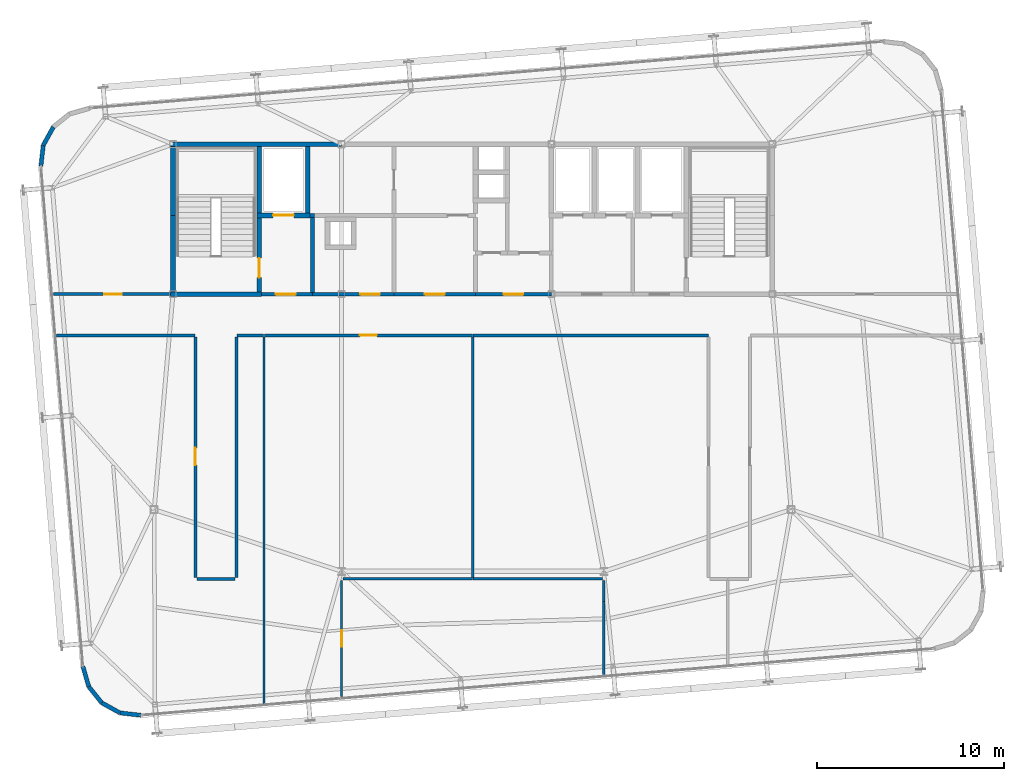
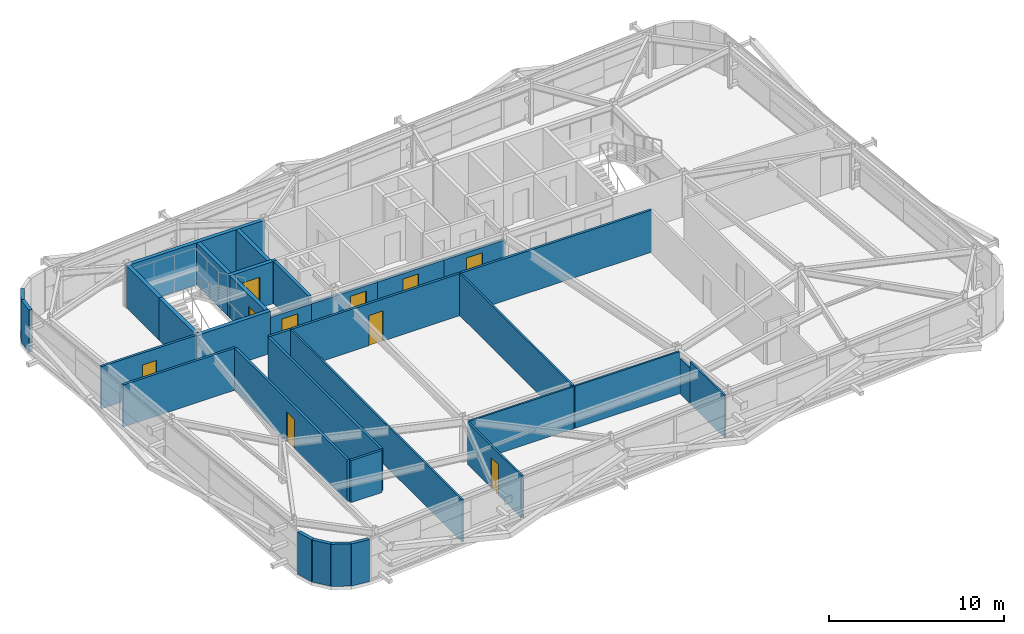
# One storey, part 33 of 37: 35 walls, 10 doors, 10 openings.
"""IFC4 building model written with IfcOpenShell, lengths in metres."""

from ifc_helpers import new_model, si_unit, direction, frame, frame_2d, origin, place, context, subcontext, project, spatial, rectangle, extrude, source, transform, mapped, material, layer, layer_set, type_object, element, fill, save


model = new_model("IFC4")

# Units and contexts
model_context = context("Model", 3, precision=1e-05, world=origin(), true_north=direction((0.0, 1.0)))
body_context = subcontext(model_context, "Body", "Model", "MODEL_VIEW")
ifc_project = project(units=[si_unit("LENGTHUNIT", "METRE"), si_unit("AREAUNIT", "SQUARE_METRE"), si_unit("VOLUMEUNIT", "CUBIC_METRE"), si_unit("PLANEANGLEUNIT", "RADIAN"), si_unit("MASSUNIT", "GRAM", prefix="KILO")], contexts=[model_context])

# Site, building, storey
site_placement = place(None, origin())
site = spatial("IfcSite", under=ifc_project, at=site_placement, CompositionType="ELEMENT")
building_placement = place(site_placement, origin())
building = spatial("IfcBuilding", under=site, at=building_placement, Name="Taldren Reach Tower", CompositionType="ELEMENT")
storey_placement = place(building_placement, frame((0.0, 0.0, 200.89990234375)))
storey = spatial("IfcBuildingStorey", under=building, at=storey_placement, Name="L61", CompositionType="ELEMENT", Elevation=200.89990234375)

# Walls
ifc_material_1 = material(Name="Pale Champagne Anodised Aluminium Cladding", Category="aluminium")
ifc_layer_1 = layer(ifc_material_1, 0.04, Name="Pale Champagne Anodised Aluminium Cladding", Category="aluminium")
ifc_material_2 = material(Name="Mineral Wool Acoustic Insulation", Category="insulation")
ifc_layer_2 = layer(ifc_material_2, 0.06, Name="Mineral Wool Acoustic Insulation", Category="insulation")
ifc_material_3 = material(Name="Steel Gr 350 (C350L0)", Category="steel")
ifc_layer_3 = layer(ifc_material_3, 0.12, Name="Steel Gr 350 (C350L0)", Category="steel")
ifc_layer_set_1 = layer_set([ifc_layer_1, ifc_layer_2, ifc_layer_3], Name="Pale Champagne Aluminium Cladding and Steel Gr 350 Stud Framing")
wall_type_1 = type_object("IfcWallType", Name="EW-CRN-220", PredefinedType="SOLIDWALL", material=ifc_layer_set_1)
shared_shape_1 = source(origin(), body_context, "Body", "SweptSolid", [
    extrude(rectangle(XDim=1.115966796875, YDim=0.219970703125, at=frame_2d((0.55810546875, 0.0))), origin(), (0.0, 0.0, 1.0), 2.93017578125),
])
for number, where, z_axis, x_axis, name in (
    (1, (12.618896484375, 32.9208984375, 0.0), (0.0, 0.0, 1.0), (-0.484100585842, -0.875012355791, 0.0), "Rounded-corner pale-metal facade wall L61-NW3"),
    (2, (12.07861328125, 31.9443359375, 0.0), (0.0, 0.0, 1.0), (-0.112232247342, -0.993682002784, 0.0), "Rounded-corner pale-metal facade wall L61-NW4"),
    (3, (14.19580078125, 4.129638671875, 0.0), (0.0, 0.0, 1.0), (0.276512002475, -0.961010464297, 0.0), "Rounded-corner pale-metal facade wall L61-SW1"),
    (4, (14.50439453125, 3.05712890625, 0.0), (0.0, 0.0, 1.0), (0.623092886403, -0.782147847222, 0.0), "Rounded-corner pale-metal facade wall L61-SW2"),
    (5, (15.19970703125, 2.184326171875, 0.0), (0.0, 0.0, 1.0), (0.875105012065, -0.483933071672, 0.0), "Rounded-corner pale-metal facade wall L61-SW3"),
    (6, (16.17626953125, 1.644287109375, 0.0), (0.0, 0.0, 1.0), (0.993657581277, -0.112448259968, 0.0), "Rounded-corner pale-metal facade wall L61-SW4"),
):
    element("IfcWall", number, at=place(storey_placement, frame(where, z_axis=z_axis, x_axis=x_axis)), inside=storey, type_object=wall_type_1, Name=name, PredefinedType="SOLIDWALL", context=body_context, shape_type="MappedRepresentation", body=[
        mapped(shared_shape_1, transform((0.0, 0.0, 0.0), scale=1.0)),
    ])

# Wall, opening, door
ifc_material_4 = material(Name="Concrete S50 (50 MPa)", Category="concrete")
ifc_layer_4 = layer(ifc_material_4, 0.199951171875)
ifc_layer_set_2 = layer_set([ifc_layer_4], Name="Concrete S50 (50 MPa)")
wall_type_2 = type_object("IfcWallType", Name="IW-CORE-200", PredefinedType="SOLIDWALL", material=ifc_layer_set_2)
shared_shape_2 = source(origin(), body_context, "Body", "SweptSolid", [
    extrude(rectangle(XDim=4.35009765625, YDim=0.199951171875, at=frame_2d((2.175048828125, 0.0))), origin(), (0.0, 0.0, 1.0), 2.47021484375),
])
wall_1_placement = place(storey_placement, frame((30.800048828125, 24.0, 0.0), z_axis=(0.0, 0.0, 1.0), x_axis=(-1.0, 0.0, 0.0)))
wall_1 = element("IfcWall", 7, at=wall_1_placement, inside=storey, type_object=wall_type_2, Name="Rear Core Shear Wall W-INT-L61-034", PredefinedType="SOLIDWALL", context=body_context, shape_type="MappedRepresentation", body=[
    mapped(shared_shape_2, transform((0.0, 0.0, 0.0), scale=1.0)),
])
shared_shape_3 = source(origin(), body_context, "Body", "SweptSolid", [
    extrude(rectangle(XDim=1.050048828125, YDim=2.10009765625, at=frame_2d((0.52490234375, 1.050048828125))), frame((0.0, 0.10986328125, 0.0), z_axis=(0.0, -1.0, 0.0), x_axis=(1.0, 0.0, 0.0)), (0.0, 0.0, 1.0), 0.219970703125),
])
opening_1_placement = place(wall_1_placement, frame((0.75, 0.0, 0.0)))
opening_1 = element("IfcOpeningElement", 8, at=opening_1_placement, cuts=wall_1, Name="Opening DF-105", PredefinedType="OPENING", context=body_context, shape_type="MappedRepresentation", body=[
    mapped(shared_shape_3, transform((0.0, 0.0, 0.0), scale=1.0)),
])
ifc_material_5 = material(Name="Fire-Rated Care and Stair Exit Door")
door_type_1 = type_object("IfcDoorType", Name="ID-FIRE-105", OperationType="NOTDEFINED", PredefinedType="DOOR", material=ifc_material_5)
shared_shape_4 = source(origin(), body_context, "Body", "SweptSolid", [
    extrude(rectangle(XDim=1.050048828125, YDim=2.10009765625, at=frame_2d((0.52490234375, 1.050048828125))), frame((0.0, 0.02490234375, 0.0), z_axis=(0.0, -1.0, 0.0), x_axis=(1.0, 0.0, 0.0)), (0.0, 0.0, 1.0), 0.050048828125),
])
door_1_placement = place(opening_1_placement, frame((1.050048828125, 0.0, 0.0), z_axis=(0.0, 0.0, 1.0), x_axis=(-1.0, 0.0, 0.0)))
door_1 = element("IfcDoor", 9, at=door_1_placement, inside=storey, type_object=door_type_1, Name="Interior Door DR-L61-006", OperationType="SINGLE_SWING_RIGHT", OverallHeight=2.10009765625, OverallWidth=1.050048828125, PredefinedType="DOOR", context=body_context, shape_type="MappedRepresentation", body=[
    mapped(shared_shape_4, transform((0.0, 0.0, 0.0), scale=1.0)),
])
fill(opening_1, door_1)

# Walls
ifc_material_6 = material(Name="Fire-Rated Acoustic Plasterboard Stud Wall", Category="gypsum")
ifc_layer_5 = layer(ifc_material_6, 0.159912109375)
ifc_layer_set_3 = layer_set([ifc_layer_5], Name="Fire-Rated Acoustic Plasterboard Stud Wall")
wall_type_3 = type_object("IfcWallType", Name="IW-FIRE-160", PredefinedType="PARTITIONING", material=ifc_layer_set_3)
shared_shape_5 = source(origin(), body_context, "Body", "SweptSolid", [
    extrude(rectangle(XDim=2.0400390625, YDim=0.159912109375, at=frame_2d((1.02001953125, 0.0))), origin(), (0.0, 0.0, 1.0), 2.93017578125),
])
wall_2_placement = place(storey_placement, frame((22.320068359375, 8.800048828125, 0.0), z_axis=(0.0, 0.0, 1.0), x_axis=(-1.0, 0.0, 0.0)))
element("IfcWall", 10, at=wall_2_placement, inside=storey, type_object=wall_type_3, Name="Interior Partition Wall W-INT-L61-049", PredefinedType="PARTITIONING", context=body_context, shape_type="MappedRepresentation", body=[
    mapped(shared_shape_5, transform((0.0, 0.0, 0.0), scale=1.0)),
])
shared_shape_6 = source(origin(), body_context, "Body", "SweptSolid", [
    extrude(rectangle(XDim=4.0, YDim=0.199951171875, at=frame_2d((2.0, 0.0))), origin(), (0.0, 0.0, 1.0), 2.93017578125),
])
wall_3_placement = place(storey_placement, frame((26.449951171875, 24.10009765625, 0.0), z_axis=(0.0, 0.0, 1.0), x_axis=(0.0, 1.0, 0.0)))
element("IfcWall", 11, at=wall_3_placement, inside=storey, type_object=wall_type_2, Name="Rear Core Shear Wall W-INT-L61-006", PredefinedType="SOLIDWALL", context=body_context, shape_type="MappedRepresentation", body=[
    mapped(shared_shape_6, transform((0.0, 0.0, 0.0), scale=1.0)),
])
ifc_material_7 = material(Name="Concrete S65 (65 MPa)", Category="concrete")
ifc_layer_6 = layer(ifc_material_7, 0.25)
ifc_layer_set_4 = layer_set([ifc_layer_6], Name="Concrete S65 (65 MPa)")
wall_type_4 = type_object("IfcWallType", Name="IW-CORE-250", PredefinedType="SHEAR", material=ifc_layer_set_4)
shared_shape_7 = source(origin(), body_context, "Body", "SweptSolid", [
    extrude(rectangle(XDim=9.125, YDim=0.25, at=frame_2d((4.5625, 0.0))), origin(), (0.0, 0.0, 1.0), 2.93017578125),
])
wall_4_placement = place(storey_placement, frame((18.875, 32.0, 0.0), z_axis=(0.0, 0.0, 1.0), x_axis=(1.0, 0.0, 0.0)))
element("IfcWall", 12, at=wall_4_placement, inside=storey, type_object=wall_type_4, Name="Rear Core Shear Wall W-CORE-L61-NORTH1", PredefinedType="SHEAR", context=body_context, shape_type="MappedRepresentation", body=[
    mapped(shared_shape_7, transform((0.0, 0.0, 0.0), scale=1.0)),
])
shared_shape_8 = source(origin(), body_context, "Body", "SweptSolid", [
    extrude(rectangle(XDim=4.074951171875, YDim=0.25, at=frame_2d((2.03759765625, 0.0))), origin(), (0.0, 0.0, 1.0), 2.93017578125),
])
wall_5_placement = place(storey_placement, frame((19.0, 24.125, 0.0), z_axis=(0.0, 0.0, 1.0), x_axis=(0.0, 1.0, 0.0)))
element("IfcWall", 13, at=wall_5_placement, inside=storey, type_object=wall_type_4, Name="Rear Core Shear Wall W-CORE-L61-WEST1", PredefinedType="SHEAR", context=body_context, shape_type="MappedRepresentation", body=[
    mapped(shared_shape_8, transform((0.0, 0.0, 0.0), scale=1.0)),
])
shared_shape_9 = source(origin(), body_context, "Body", "SweptSolid", [
    extrude(rectangle(XDim=3.675048828125, YDim=0.25, at=frame_2d((1.83740234375, 0.0))), origin(), (0.0, 0.0, 1.0), 2.93017578125),
])
wall_6_placement = place(storey_placement, frame((19.0, 28.199951171875, 0.0), z_axis=(0.0, 0.0, 1.0), x_axis=(0.0, 1.0, 0.0)))
element("IfcWall", 14, at=wall_6_placement, inside=storey, type_object=wall_type_4, Name="Rear Core Shear Wall W-CORE-L61-WEST2", PredefinedType="SHEAR", context=body_context, shape_type="MappedRepresentation", body=[
    mapped(shared_shape_9, transform((0.0, 0.0, 0.0), scale=1.0)),
])
shared_shape_10 = source(origin(), body_context, "Body", "SweptSolid", [
    extrude(rectangle(XDim=3.550048828125, YDim=0.25, at=frame_2d((1.77490234375, 0.0))), origin(), (0.0, 0.0, 1.0), 2.93017578125),
])
for number, where, z_axis, x_axis, name in (
    (15, (23.60009765625, 28.324951171875, 0.0), (0.0, 0.0, 1.0), (0.0, 1.0, 0.0), "Rear Core Shear Wall W-INT-L61-001"),
    (16, (26.199951171875, 28.324951171875, 0.0), (0.0, 0.0, 1.0), (0.0, 1.0, 0.0), "Rear Core Shear Wall W-INT-L61-005"),
):
    element("IfcWall", number, at=place(storey_placement, frame(where, z_axis=z_axis, x_axis=x_axis)), inside=storey, type_object=wall_type_4, Name=name, PredefinedType="SHEAR", context=body_context, shape_type="MappedRepresentation", body=[
        mapped(shared_shape_10, transform((0.0, 0.0, 0.0), scale=1.0)),
    ])

# Wall, opening, door
shared_shape_11 = source(origin(), body_context, "Body", "SweptSolid", [
    extrude(rectangle(XDim=3.949951171875, YDim=0.25, at=frame_2d((1.97509765625, 0.0))), origin(), (0.0, 0.0, 1.0), 2.93017578125),
])
wall_7_placement = place(storey_placement, frame((23.60009765625, 24.125, 0.0), z_axis=(0.0, 0.0, 1.0), x_axis=(0.0, 1.0, 0.0)))
wall_7 = element("IfcWall", 17, at=wall_7_placement, inside=storey, type_object=wall_type_4, Name="Rear Core Shear Wall W-INT-L61-002", PredefinedType="SHEAR", context=body_context, shape_type="MappedRepresentation", body=[
    mapped(shared_shape_11, transform((0.0, 0.0, 0.0), scale=1.0)),
])
shared_shape_12 = source(origin(), body_context, "Body", "SweptSolid", [
    extrude(rectangle(XDim=1.050048828125, YDim=2.10009765625, at=frame_2d((0.52490234375, 1.050048828125))), frame((0.0, 0.135009765625, 0.0), z_axis=(0.0, -1.0, 0.0), x_axis=(1.0, 0.0, 0.0)), (0.0, 0.0, 1.0), 0.27001953125),
])
opening_2_placement = place(wall_7_placement, frame((0.75, 0.0, 0.0)))
opening_2 = element("IfcOpeningElement", 18, at=opening_2_placement, cuts=wall_7, Name="Opening DF-105", PredefinedType="OPENING", context=body_context, shape_type="MappedRepresentation", body=[
    mapped(shared_shape_12, transform((0.0, 0.0, 0.0), scale=1.0)),
])
door_2_placement = place(opening_2_placement, origin())
door_2 = element("IfcDoor", 19, at=door_2_placement, inside=storey, type_object=door_type_1, Name="Fire Exit Stair Door DR-L61-001", OperationType="SINGLE_SWING_LEFT", OverallHeight=2.10009765625, OverallWidth=1.050048828125, PredefinedType="DOOR", context=body_context, shape_type="MappedRepresentation", body=[
    mapped(shared_shape_4, transform((0.0, 0.0, 0.0), scale=1.0)),
])
fill(opening_2, door_2)

# Wall
shared_shape_13 = source(origin(), body_context, "Body", "SweptSolid", [
    extrude(rectangle(XDim=4.85009765625, YDim=0.25, at=frame_2d((2.425048828125, 0.0))), origin(), (0.0, 0.0, 1.0), 2.93017578125),
])
wall_8_placement = place(storey_placement, frame((18.875, 24.0, 0.0), z_axis=(0.0, 0.0, 1.0), x_axis=(1.0, 0.0, 0.0)))
element("IfcWall", 20, at=wall_8_placement, inside=storey, type_object=wall_type_4, Name="Rear Core Shear Wall W-INT-L61-003", PredefinedType="SHEAR", context=body_context, shape_type="MappedRepresentation", body=[
    mapped(shared_shape_13, transform((0.0, 0.0, 0.0), scale=1.0)),
])

# Wall, opening, door
shared_shape_14 = source(origin(), body_context, "Body", "SweptSolid", [
    extrude(rectangle(XDim=2.849853515625, YDim=0.25, at=frame_2d((1.4248046875, 0.0))), origin(), (0.0, 0.0, 1.0), 2.93017578125),
])
wall_9_placement = place(storey_placement, frame((23.47509765625, 28.199951171875, 0.0), z_axis=(0.0, 0.0, 1.0), x_axis=(1.0, 0.0, 0.0)))
wall_9 = element("IfcWall", 21, at=wall_9_placement, inside=storey, type_object=wall_type_4, Name="Rear Core Shear Wall W-INT-L61-004", PredefinedType="SHEAR", context=body_context, shape_type="MappedRepresentation", body=[
    mapped(shared_shape_14, transform((0.0, 0.0, 0.0), scale=1.0)),
])
shared_shape_15 = source(origin(), body_context, "Body", "SweptSolid", [
    extrude(rectangle(XDim=1.10009765625, YDim=2.14990234375, at=frame_2d((0.550048828125, 1.074951171875))), frame((0.0, 0.135009765625, 0.0), z_axis=(0.0, -1.0, 0.0), x_axis=(1.0, 0.0, 0.0)), (0.0, 0.0, 1.0), 0.27001953125),
])
opening_3_placement = place(wall_9_placement, frame((0.875, 0.0, 0.0)))
opening_3 = element("IfcOpeningElement", 22, at=opening_3_placement, cuts=wall_9, Name="Opening LD-FL1", PredefinedType="OPENING", context=body_context, shape_type="MappedRepresentation", body=[
    mapped(shared_shape_15, transform((0.0, 0.0, 0.0), scale=1.0)),
])
ifc_material_8 = material(Name="Stainless Steel Gr 316 Emergency Lift Landing Door", Category="steel")
door_type_2 = type_object("IfcDoorType", Name="LD-EMG-110", OperationType="SLIDING_TO_LEFT", PredefinedType="DOOR", material=ifc_material_8)
shared_shape_16 = source(origin(), body_context, "Body", "SweptSolid", [
    extrude(rectangle(XDim=1.10009765625, YDim=2.14990234375, at=frame_2d((0.550048828125, 1.074951171875))), frame((0.0, 0.02490234375, 0.0), z_axis=(0.0, -1.0, 0.0), x_axis=(1.0, 0.0, 0.0)), (0.0, 0.0, 1.0), 0.050048828125),
])
door_3_placement = place(opening_3_placement, origin())
door_3 = element("IfcDoor", 23, at=door_3_placement, inside=storey, type_object=door_type_2, Name="Lift Landing Door LD-FL1-L61", OperationType="SLIDING_TO_LEFT", OverallHeight=2.14990234375, OverallWidth=1.10009765625, PredefinedType="DOOR", context=body_context, shape_type="MappedRepresentation", body=[
    mapped(shared_shape_16, transform((0.0, 0.0, 0.0), scale=1.0)),
])
fill(opening_3, door_3)

shared_shape_17 = source(origin(), body_context, "Body", "SweptSolid", [
    extrude(rectangle(XDim=2.724853515625, YDim=0.199951171875, at=frame_2d((1.3623046875, 0.0))), origin(), (0.0, 0.0, 1.0), 2.47021484375),
])
wall_10_placement = place(storey_placement, frame((23.72509765625, 24.0, 0.0), z_axis=(0.0, 0.0, 1.0), x_axis=(1.0, 0.0, 0.0)))
wall_10 = element("IfcWall", 24, at=wall_10_placement, inside=storey, type_object=wall_type_2, Name="Rear Core Shear Wall W-INT-L61-007", PredefinedType="SOLIDWALL", context=body_context, shape_type="MappedRepresentation", body=[
    mapped(shared_shape_17, transform((0.0, 0.0, 0.0), scale=1.0)),
])
opening_4_placement = place(wall_10_placement, frame((0.77490234375, 0.0, 0.0)))
opening_4 = element("IfcOpeningElement", 25, at=opening_4_placement, cuts=wall_10, Name="Opening DF-105", PredefinedType="OPENING", context=body_context, shape_type="MappedRepresentation", body=[
    mapped(shared_shape_3, transform((0.0, 0.0, 0.0), scale=1.0)),
])
door_4_placement = place(opening_4_placement, origin())
door_4 = element("IfcDoor", 26, at=door_4_placement, inside=storey, type_object=door_type_1, Name="Interior Door DR-L61-002", OperationType="SINGLE_SWING_LEFT", OverallHeight=2.10009765625, OverallWidth=1.050048828125, PredefinedType="DOOR", context=body_context, shape_type="MappedRepresentation", body=[
    mapped(shared_shape_4, transform((0.0, 0.0, 0.0), scale=1.0)),
])
fill(opening_4, door_4)

shared_shape_18 = source(origin(), body_context, "Body", "SweptSolid", [
    extrude(rectangle(XDim=4.050048828125, YDim=0.199951171875, at=frame_2d((2.02490234375, 0.0))), origin(), (0.0, 0.0, 1.0), 2.47021484375),
])
wall_11_placement = place(storey_placement, frame((39.199951171875, 24.0, 0.0), z_axis=(0.0, 0.0, 1.0), x_axis=(-1.0, 0.0, 0.0)))
wall_11 = element("IfcWall", 27, at=wall_11_placement, inside=storey, type_object=wall_type_2, Name="Rear Core Shear Wall W-INT-L61-043", PredefinedType="SOLIDWALL", context=body_context, shape_type="MappedRepresentation", body=[
    mapped(shared_shape_18, transform((0.0, 0.0, 0.0), scale=1.0)),
])
opening_5_placement = place(wall_11_placement, frame((1.5, 0.0, 0.0)))
opening_5 = element("IfcOpeningElement", 28, at=opening_5_placement, cuts=wall_11, Name="Opening DF-105", PredefinedType="OPENING", context=body_context, shape_type="MappedRepresentation", body=[
    mapped(shared_shape_3, transform((0.0, 0.0, 0.0), scale=1.0)),
])
door_5_placement = place(opening_5_placement, frame((1.050048828125, 0.0, 0.0), z_axis=(0.0, 0.0, 1.0), x_axis=(-1.0, 0.0, 0.0)))
door_5 = element("IfcDoor", 29, at=door_5_placement, inside=storey, type_object=door_type_1, Name="Interior Door DR-L61-012", OperationType="SINGLE_SWING_RIGHT", OverallHeight=2.10009765625, OverallWidth=1.050048828125, PredefinedType="DOOR", context=body_context, shape_type="MappedRepresentation", body=[
    mapped(shared_shape_4, transform((0.0, 0.0, 0.0), scale=1.0)),
])
fill(opening_5, door_5)

shared_shape_19 = source(origin(), body_context, "Body", "SweptSolid", [
    extrude(rectangle(XDim=6.250732421875, YDim=0.159912109375, at=frame_2d((3.12548828125, 0.0))), origin(), (0.0, 0.0, 1.0), 2.93017578125),
])
wall_12_placement = place(storey_placement, frame((12.624267578125, 24.0, 0.0), z_axis=(0.0, 0.0, 1.0), x_axis=(1.0, 0.0, 0.0)))
wall_12 = element("IfcWall", 30, at=wall_12_placement, inside=storey, type_object=wall_type_3, Name="Interior Partition Wall W-INT-L61-045", PredefinedType="PARTITIONING", context=body_context, shape_type="MappedRepresentation", body=[
    mapped(shared_shape_19, transform((0.0, 0.0, 0.0), scale=1.0)),
])
shared_shape_20 = source(origin(), body_context, "Body", "SweptSolid", [
    extrude(rectangle(XDim=0.919921875, YDim=2.10009765625, at=frame_2d((0.4599609375, 1.050048828125))), frame((0.0, 0.08984375, 0.0), z_axis=(0.0, -1.0, 0.0), x_axis=(1.0, 0.0, 0.0)), (0.0, 0.0, 1.0), 0.179931640625),
])
opening_6_placement = place(wall_12_placement, frame((2.7177734375, 0.0, 0.0)))
opening_6 = element("IfcOpeningElement", 31, at=opening_6_placement, cuts=wall_12, Name="Opening DI-092", PredefinedType="OPENING", context=body_context, shape_type="MappedRepresentation", body=[
    mapped(shared_shape_20, transform((0.0, 0.0, 0.0), scale=1.0)),
])
ifc_material_9 = material(Name="Solid-Core Timber Suite Door", Category="wood")
door_type_3 = type_object("IfcDoorType", Name="ID-INT-092", OperationType="NOTDEFINED", PredefinedType="DOOR", material=ifc_material_9)
shared_shape_21 = source(origin(), body_context, "Body", "SweptSolid", [
    extrude(rectangle(XDim=0.919921875, YDim=2.10009765625, at=frame_2d((0.4599609375, 1.050048828125))), frame((0.0, 0.02490234375, 0.0), z_axis=(0.0, -1.0, 0.0), x_axis=(1.0, 0.0, 0.0)), (0.0, 0.0, 1.0), 0.050048828125),
])
door_6_placement = place(opening_6_placement, origin())
door_6 = element("IfcDoor", 32, at=door_6_placement, inside=storey, type_object=door_type_3, Name="Interior Door DR-L61-013", OperationType="SINGLE_SWING_RIGHT", OverallHeight=2.10009765625, OverallWidth=0.919921875, PredefinedType="DOOR", context=body_context, shape_type="MappedRepresentation", body=[
    mapped(shared_shape_21, transform((0.0, 0.0, 0.0), scale=1.0)),
])
fill(opening_6, door_6)

shared_shape_22 = source(origin(), body_context, "Body", "SweptSolid", [
    extrude(rectangle(XDim=12.840087890625, YDim=0.159912109375, at=frame_2d((6.419921875, 0.0))), origin(), (0.0, 0.0, 1.0), 2.93017578125),
])
wall_13_placement = place(storey_placement, frame((20.199951171875, 8.8798828125, 0.0), z_axis=(0.0, 0.0, 1.0), x_axis=(0.0, 1.0, 0.0)))
wall_13 = element("IfcWall", 33, at=wall_13_placement, inside=storey, type_object=wall_type_3, Name="Interior Partition Wall W-INT-L61-046", PredefinedType="PARTITIONING", context=body_context, shape_type="MappedRepresentation", body=[
    mapped(shared_shape_22, transform((0.0, 0.0, 0.0), scale=1.0)),
])
opening_7_placement = place(wall_13_placement, frame((5.98974609375, 0.0, 0.0)))
opening_7 = element("IfcOpeningElement", 34, at=opening_7_placement, cuts=wall_13, Name="Opening DI-092", PredefinedType="OPENING", context=body_context, shape_type="MappedRepresentation", body=[
    mapped(shared_shape_20, transform((0.0, 0.0, 0.0), scale=1.0)),
])
door_7_placement = place(opening_7_placement, origin())
door_7 = element("IfcDoor", 35, at=door_7_placement, inside=storey, type_object=door_type_3, Name="Interior Door DR-L61-014", OperationType="SINGLE_SWING_LEFT", OverallHeight=2.10009765625, OverallWidth=0.919921875, PredefinedType="DOOR", context=body_context, shape_type="MappedRepresentation", body=[
    mapped(shared_shape_21, transform((0.0, 0.0, 0.0), scale=1.0)),
])
fill(opening_7, door_7)

# Walls
wall_14_placement = place(storey_placement, frame((22.39990234375, 21.719970703125, 0.0), z_axis=(0.0, 0.0, 1.0), x_axis=(0.0, -1.0, 0.0)))
element("IfcWall", 36, at=wall_14_placement, inside=storey, type_object=wall_type_3, Name="Interior Partition Wall W-INT-L61-047", PredefinedType="PARTITIONING", context=body_context, shape_type="MappedRepresentation", body=[
    mapped(shared_shape_22, transform((0.0, 0.0, 0.0), scale=1.0)),
])
shared_shape_23 = source(origin(), body_context, "Body", "SweptSolid", [
    extrude(rectangle(XDim=7.384033203125, YDim=0.159912109375, at=frame_2d((3.69189453125, 0.0))), origin(), (0.0, 0.0, 1.0), 2.93017578125),
])
wall_15_placement = place(storey_placement, frame((20.1796875, 21.800048828125, 0.0), z_axis=(0.0, 0.0, 1.0), x_axis=(-1.0, 0.0, 0.0)))
element("IfcWall", 37, at=wall_15_placement, inside=storey, type_object=wall_type_3, Name="Interior Partition Wall W-INT-L61-048", PredefinedType="PARTITIONING", context=body_context, shape_type="MappedRepresentation", body=[
    mapped(shared_shape_23, transform((0.0, 0.0, 0.0), scale=1.0)),
])
ifc_material_10 = material(Name="Insulated Residential Stud Partition", Category="gypsum")
ifc_layer_7 = layer(ifc_material_10, 0.1201171875)
ifc_layer_set_5 = layer_set([ifc_layer_7], Name="Insulated Residential Stud Partition")
wall_type_5 = type_object("IfcWallType", Name="IW-PART-120", PredefinedType="PARTITIONING", material=ifc_layer_set_5)
shared_shape_24 = source(origin(), body_context, "Body", "SweptSolid", [
    extrude(rectangle(XDim=12.8359375, YDim=0.1201171875, at=frame_2d((6.41796875, 0.0))), origin(), (0.0, 0.0, 1.0), 2.93017578125),
])
wall_16_placement = place(storey_placement, frame((35.0, 21.718017578125, 0.0), z_axis=(0.0, 0.0, 1.0), x_axis=(0.0, -1.0, 0.0)))
element("IfcWall", 38, at=wall_16_placement, inside=storey, type_object=wall_type_5, Name="Interior Partition Wall W-INT-L61-064", PredefinedType="PARTITIONING", context=body_context, shape_type="MappedRepresentation", body=[
    mapped(shared_shape_24, transform((0.0, 0.0, 0.0), scale=1.0)),
])
shared_shape_25 = source(origin(), body_context, "Body", "SweptSolid", [
    extrude(rectangle(XDim=0.22509765625, YDim=0.199951171875, at=frame_2d((0.112548828125, 0.0))), origin(), (0.0, 0.0, 1.0), 2.93017578125),
])
wall_17_placement = place(storey_placement, frame((26.324951171875, 28.199951171875, 0.0), z_axis=(0.0, 0.0, 1.0), x_axis=(1.0, 0.0, 0.0)))
element("IfcWall", 39, at=wall_17_placement, inside=storey, type_object=wall_type_2, Name="Rear Core Partition Wall W-INT-L61-066", PredefinedType="SOLIDWALL", context=body_context, shape_type="MappedRepresentation", body=[
    mapped(shared_shape_25, transform((0.0, 0.0, 0.0), scale=1.0)),
])

# Wall, opening, door
shared_shape_26 = source(origin(), body_context, "Body", "SweptSolid", [
    extrude(rectangle(XDim=4.349853515625, YDim=0.199951171875, at=frame_2d((2.1748046875, 0.0))), origin(), (0.0, 0.0, 1.0), 2.47021484375),
])
wall_18_placement = place(storey_placement, frame((35.14990234375, 24.0, 0.0), z_axis=(0.0, 0.0, 1.0), x_axis=(-1.0, 0.0, 0.0)))
wall_18 = element("IfcWall", 40, at=wall_18_placement, inside=storey, type_object=wall_type_2, Name="Rear Core Shear Wall W-INT-L61-039", PredefinedType="SOLIDWALL", context=body_context, shape_type="MappedRepresentation", body=[
    mapped(shared_shape_26, transform((0.0, 0.0, 0.0), scale=1.0)),
])
opening_8_placement = place(wall_18_placement, frame((1.64990234375, 0.0, 0.0)))
opening_8 = element("IfcOpeningElement", 41, at=opening_8_placement, cuts=wall_18, Name="Opening DF-105", PredefinedType="OPENING", context=body_context, shape_type="MappedRepresentation", body=[
    mapped(shared_shape_3, transform((0.0, 0.0, 0.0), scale=1.0)),
])
door_8_placement = place(opening_8_placement, frame((1.050048828125, 0.0, 0.0), z_axis=(0.0, 0.0, 1.0), x_axis=(-1.0, 0.0, 0.0)))
door_8 = element("IfcDoor", 42, at=door_8_placement, inside=storey, type_object=door_type_1, Name="Interior Door DR-L61-009", OperationType="SINGLE_SWING_LEFT", OverallHeight=2.10009765625, OverallWidth=1.050048828125, PredefinedType="DOOR", context=body_context, shape_type="MappedRepresentation", body=[
    mapped(shared_shape_4, transform((0.0, 0.0, 0.0), scale=1.0)),
])
fill(opening_8, door_8)

# Wall
shared_shape_27 = source(origin(), body_context, "Body", "SweptSolid", [
    extrude(rectangle(XDim=1.424072265625, YDim=0.159912109375, at=frame_2d((0.7119140625, 0.0))), origin(), (0.0, 0.0, 1.0), 2.93017578125),
])
wall_19_placement = place(storey_placement, frame((23.844482421875, 21.800048828125, 0.0), z_axis=(0.0, 0.0, 1.0), x_axis=(-1.0, 0.0, 0.0)))
element("IfcWall", 43, at=wall_19_placement, inside=storey, type_object=wall_type_3, Name="Interior Partition Wall W-INT-L61-050", PredefinedType="PARTITIONING", context=body_context, shape_type="MappedRepresentation", body=[
    mapped(shared_shape_27, transform((0.0, 0.0, 0.0), scale=1.0)),
])

# Wall, opening, door
shared_shape_28 = source(origin(), body_context, "Body", "SweptSolid", [
    extrude(rectangle(XDim=11.094970703125, YDim=0.159912109375, at=frame_2d((5.54736328125, 0.0))), origin(), (0.0, 0.0, 1.0), 2.93017578125),
])
wall_20_placement = place(storey_placement, frame((34.979736328125, 21.800048828125, 0.0), z_axis=(0.0, 0.0, 1.0), x_axis=(-1.0, 0.0, 0.0)))
wall_20 = element("IfcWall", 44, at=wall_20_placement, inside=storey, type_object=wall_type_3, Name="Interior Partition Wall W-INT-L61-051", PredefinedType="PARTITIONING", context=body_context, shape_type="MappedRepresentation", body=[
    mapped(shared_shape_28, transform((0.0, 0.0, 0.0), scale=1.0)),
])
opening_9_placement = place(wall_20_placement, frame((5.08740234375, 0.0, 0.0)))
opening_9 = element("IfcOpeningElement", 45, at=opening_9_placement, cuts=wall_20, Name="Opening DI-092", PredefinedType="OPENING", context=body_context, shape_type="MappedRepresentation", body=[
    mapped(shared_shape_20, transform((0.0, 0.0, 0.0), scale=1.0)),
])
door_9_placement = place(opening_9_placement, origin())
door_9 = element("IfcDoor", 46, at=door_9_placement, inside=storey, type_object=door_type_3, Name="Interior Door DR-L61-015", OperationType="SINGLE_SWING_RIGHT", OverallHeight=2.10009765625, OverallWidth=0.919921875, PredefinedType="DOOR", context=body_context, shape_type="MappedRepresentation", body=[
    mapped(shared_shape_21, transform((0.0, 0.0, 0.0), scale=1.0)),
])
fill(opening_9, door_9)

# Walls
shared_shape_29 = source(origin(), body_context, "Body", "SweptSolid", [
    extrude(rectangle(XDim=12.559326171875, YDim=0.159912109375, at=frame_2d((6.27978515625, 0.0))), origin(), (0.0, 0.0, 1.0), 2.93017578125),
])
wall_21_placement = place(storey_placement, frame((47.57958984375, 21.800048828125, 0.0), z_axis=(0.0, 0.0, 1.0), x_axis=(-1.0, 0.0, 0.0)))
element("IfcWall", 47, at=wall_21_placement, inside=storey, type_object=wall_type_3, Name="Interior Partition Wall W-INT-L61-054", PredefinedType="PARTITIONING", context=body_context, shape_type="MappedRepresentation", body=[
    mapped(shared_shape_29, transform((0.0, 0.0, 0.0), scale=1.0)),
])
shared_shape_30 = source(origin(), body_context, "Body", "SweptSolid", [
    extrude(rectangle(XDim=6.899658203125, YDim=0.1201171875, at=frame_2d((3.44970703125, 0.0))), origin(), (0.0, 0.0, 1.0), 2.93017578125),
])
for number, where, z_axis, x_axis, name in (
    (48, (28.080078125, 8.800048828125, 0.0), (0.0, 0.0, 1.0), (1.0, 0.0, 0.0), "Interior Partition Wall W-INT-L61-059"),
    (49, (35.020263671875, 8.800048828125, 0.0), (0.0, 0.0, 1.0), (1.0, 0.0, 0.0), "Interior Partition Wall W-INT-L61-061"),
):
    element("IfcWall", number, at=place(storey_placement, frame(where, z_axis=z_axis, x_axis=x_axis)), inside=storey, type_object=wall_type_5, Name=name, PredefinedType="PARTITIONING", context=body_context, shape_type="MappedRepresentation", body=[
        mapped(shared_shape_30, transform((0.0, 0.0, 0.0), scale=1.0)),
    ])

# Wall, opening, door
shared_shape_31 = source(origin(), body_context, "Body", "SweptSolid", [
    extrude(rectangle(XDim=6.204345703125, YDim=0.1201171875, at=frame_2d((3.10205078125, 0.0))), origin(), (0.0, 0.0, 1.0), 2.93017578125),
])
wall_22_placement = place(storey_placement, frame((28.0, 2.515625, 0.0), z_axis=(0.0, 0.0, 1.0), x_axis=(0.0, 1.0, 0.0)))
wall_22 = element("IfcWall", 50, at=wall_22_placement, inside=storey, type_object=wall_type_5, Name="Interior Partition Wall W-INT-L61-060", PredefinedType="PARTITIONING", context=body_context, shape_type="MappedRepresentation", body=[
    mapped(shared_shape_31, transform((0.0, 0.0, 0.0), scale=1.0)),
])
shared_shape_32 = source(origin(), body_context, "Body", "SweptSolid", [
    extrude(rectangle(XDim=0.860107421875, YDim=2.10009765625, at=frame_2d((0.43017578125, 1.050048828125))), frame((0.0, 0.070068359375, 0.0), z_axis=(0.0, -1.0, 0.0), x_axis=(1.0, 0.0, 0.0)), (0.0, 0.0, 1.0), 0.14013671875),
])
opening_10_placement = place(wall_22_placement, frame((2.672119140625, 0.0, 0.0)))
opening_10 = element("IfcOpeningElement", 51, at=opening_10_placement, cuts=wall_22, Name="Opening DI-086", PredefinedType="OPENING", context=body_context, shape_type="MappedRepresentation", body=[
    mapped(shared_shape_32, transform((0.0, 0.0, 0.0), scale=1.0)),
])
ifc_material_11 = material(Name="Timber Bathroom Door", Category="wood")
door_type_4 = type_object("IfcDoorType", Name="ID-INT-086", OperationType="NOTDEFINED", PredefinedType="DOOR", material=ifc_material_11)
shared_shape_33 = source(origin(), body_context, "Body", "SweptSolid", [
    extrude(rectangle(XDim=0.860107421875, YDim=2.10009765625, at=frame_2d((0.43017578125, 1.050048828125))), frame((0.0, 0.02490234375, 0.0), z_axis=(0.0, -1.0, 0.0), x_axis=(1.0, 0.0, 0.0)), (0.0, 0.0, 1.0), 0.050048828125),
])
door_10_placement = place(opening_10_placement, frame((0.860107421875, 0.0, 0.0), z_axis=(0.0, 0.0, 1.0), x_axis=(-1.0, 0.0, 0.0)))
door_10 = element("IfcDoor", 52, at=door_10_placement, inside=storey, type_object=door_type_4, Name="Interior Door DR-L61-019", OperationType="SINGLE_SWING_LEFT", OverallHeight=2.10009765625, OverallWidth=0.860107421875, PredefinedType="DOOR", context=body_context, shape_type="MappedRepresentation", body=[
    mapped(shared_shape_33, transform((0.0, 0.0, 0.0), scale=1.0)),
])
fill(opening_10, door_10)

# Walls
shared_shape_34 = source(origin(), body_context, "Body", "SweptSolid", [
    extrude(rectangle(XDim=1.116455078125, YDim=0.1201171875, at=frame_2d((0.55810546875, 0.0))), origin(), (0.0, 0.0, 1.0), 2.47021484375),
])
wall_23_placement = place(storey_placement, frame((42.0, 8.719970703125, 0.0), z_axis=(0.0, 0.0, 1.0), x_axis=(0.0, -1.0, 0.0)))
element("IfcWall", 53, at=wall_23_placement, inside=storey, type_object=wall_type_5, Name="Interior Partition Wall W-INT-L61-062", PredefinedType="PARTITIONING", context=body_context, shape_type="MappedRepresentation", body=[
    mapped(shared_shape_34, transform((0.0, 0.0, 0.0), scale=1.0)),
])
shared_shape_35 = source(origin(), body_context, "Body", "SweptSolid", [
    extrude(rectangle(XDim=3.92578125, YDim=0.1201171875, at=frame_2d((1.962890625, 0.0))), origin(), (0.0, 0.0, 1.0), 2.93017578125),
])
wall_24_placement = place(storey_placement, frame((42.0, 7.603515625, 0.0), z_axis=(0.0, 0.0, 1.0), x_axis=(0.0, -1.0, 0.0)))
element("IfcWall", 54, at=wall_24_placement, inside=storey, type_object=wall_type_5, Name="Interior Partition Wall W-INT-L61-062 part 2", PredefinedType="PARTITIONING", context=body_context, shape_type="MappedRepresentation", body=[
    mapped(shared_shape_35, transform((0.0, 0.0, 0.0), scale=1.0)),
])
shared_shape_36 = source(origin(), body_context, "Body", "SweptSolid", [
    extrude(rectangle(XDim=19.56494140625, YDim=0.1201171875, at=frame_2d((9.782470703125, 0.0))), origin(), (0.0, 0.0, 1.0), 2.93017578125),
])
wall_25_placement = place(storey_placement, frame((23.864501953125, 21.719970703125, 0.0), z_axis=(0.0, 0.0, 1.0), x_axis=(0.0, -1.0, 0.0)))
element("IfcWall", 55, at=wall_25_placement, inside=storey, type_object=wall_type_5, Name="Interior Partition Wall W-INT-L61-063", PredefinedType="PARTITIONING", context=body_context, shape_type="MappedRepresentation", body=[
    mapped(shared_shape_36, transform((0.0, 0.0, 0.0), scale=1.0)),
])

save(model, "model.ifc")
